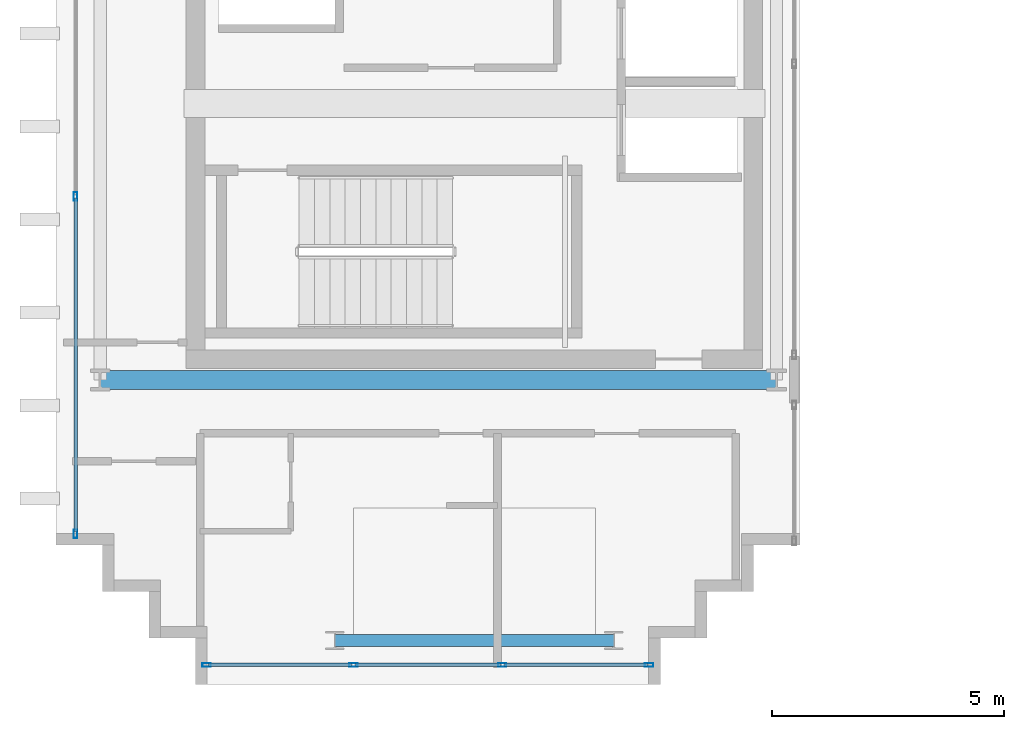
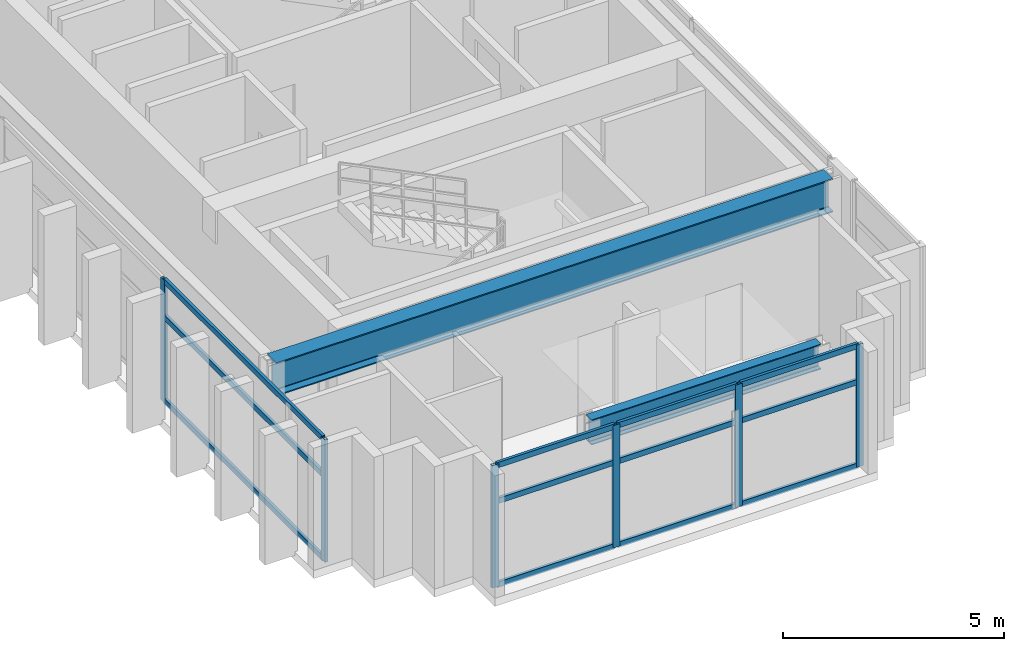
# One storey, part 2 of 25: 18 members, 2 beams, 2 elements without a shape of their own.
"""IFC4 building model written with IfcOpenShell, lengths in metres."""

from ifc_helpers import new_model, si_unit, direction, frame, origin, origin_2d, place, context, subcontext, project, spatial, hollow_rectangle, i_section, extrude, source, transform, mapped, material, layer, layer_set, material_profile, profile_set, type_object, element, aggregate, save


model = new_model("IFC4")

# Units and contexts
model_context = context("Model", 3, precision=1e-05, world=origin(), true_north=direction((0.0, 1.0)))
body_context = subcontext(model_context, "Body", "Model", "MODEL_VIEW")
ifc_project = project(units=[si_unit("LENGTHUNIT", "METRE"), si_unit("AREAUNIT", "SQUARE_METRE"), si_unit("VOLUMEUNIT", "CUBIC_METRE"), si_unit("PLANEANGLEUNIT", "RADIAN"), si_unit("MASSUNIT", "GRAM", prefix="KILO")], contexts=[model_context])

# Site, building, storey
site_placement = place(None, origin())
site = spatial("IfcSite", under=ifc_project, at=site_placement, CompositionType="ELEMENT")
building_placement = place(site_placement, origin())
building = spatial("IfcBuilding", under=site, at=building_placement, Name="Ocotamira Hotel", CompositionType="ELEMENT")
storey_placement = place(building_placement, frame((0.0, 0.0, 258.0)))
storey = spatial("IfcBuildingStorey", under=building, at=storey_placement, Name="L65", CompositionType="ELEMENT", Elevation=258.0)

# Beams
ifc_material_1 = material(Name="Steel ASTM A992 Grade 50", Category="steel")
ifc_material_profile_1 = material_profile(ifc_material_1, i_section(OverallWidth=0.41796875, OverallDepth=0.927001953125, WebThickness=0.019287109375, FlangeThickness=0.031982421875, FilletRadius=0.02392578125, at=origin_2d()), Name="W36X231")
ifc_profile_set_1 = profile_set([ifc_material_profile_1], Name="Steel ASTM A992 Grade 50")
beam_type_1 = type_object("IfcBeamType", Name="BM-GIRD-W36X231", PredefinedType="BEAM", material=ifc_profile_set_1)
shared_shape_1 = source(origin(), body_context, "Body", "SweptSolid", [
    extrude(i_section(OverallWidth=0.41796875, OverallDepth=0.927001953125, WebThickness=0.019287109375, FlangeThickness=0.031982421875, FilletRadius=0.02392578125, at=origin_2d()), origin(), (0.0, 0.0, 1.0), 14.550048828125),
])
beam_1_placement = place(storey_placement, frame((8.949951171875, 14.550048828125, 2.91650390625), z_axis=(1.0, 0.0, 0.0), x_axis=(0.0, 1.0, 0.0)))
element("IfcBeam", 1, at=beam_1_placement, inside=storey, type_object=beam_type_1, Name="L65 Girder Y14.55 X8.95-23.5", PredefinedType="BEAM", context=body_context, shape_type="MappedRepresentation", body=[
    mapped(shared_shape_1, transform((0.0, 0.0, 0.0), scale=1.0)),
])
ifc_material_profile_2 = material_profile(ifc_material_1, i_section(OverallWidth=0.256103515625, OverallDepth=0.693115234375, WebThickness=0.014404296875, FlangeThickness=0.023681640625, FilletRadius=0.01611328125, at=origin_2d()), Name="W27X114")
ifc_profile_set_2 = profile_set([ifc_material_profile_2], Name="Steel ASTM A992 Grade 50")
beam_type_2 = type_object("IfcBeamType", Name="BM-PRIM-W27X114", PredefinedType="BEAM", material=ifc_profile_set_2)
shared_shape_2 = source(origin(), body_context, "Body", "SweptSolid", [
    extrude(i_section(OverallWidth=0.256103515625, OverallDepth=0.693115234375, WebThickness=0.014404296875, FlangeThickness=0.023681640625, FilletRadius=0.01611328125, at=origin_2d()), origin(), (0.0, 0.0, 1.0), 6.0),
])
beam_2_placement = place(storey_placement, frame((14.0, 8.949951171875, 3.033447265625), z_axis=(1.0, 0.0, 0.0), x_axis=(0.0, 1.0, 0.0)))
element("IfcBeam", 2, at=beam_2_placement, inside=storey, type_object=beam_type_2, Name="L65 Girder Y8.95 X14-20", PredefinedType="BEAM", context=body_context, shape_type="MappedRepresentation", body=[
    mapped(shared_shape_2, transform((0.0, 0.0, 0.0), scale=1.0)),
])

# Curtain wall, members
ifc_material_2 = material(Name="Anodised pale-metal aluminium and solar glass", Category="aluminium")
ifc_layer = layer(ifc_material_2, 0.2099609375)
ifc_layer_set = layer_set([ifc_layer], Name="Anodised pale-metal aluminium and solar glass")
curtain_wall_type = type_object("IfcCurtainWallType", Name="CW-SYS7-PEAK", PredefinedType="NOTDEFINED", material=ifc_layer_set)
curtain_wall_1_placement = place(storey_placement, origin())
curtain_wall_1 = element("IfcCurtainWall", 3, at=curtain_wall_1_placement, inside=storey, type_object=curtain_wall_type, Name="L65 Curtain Wall CW-7 CW-L65-WS", PredefinedType="NOTDEFINED")
ifc_material_3 = material(Name="Anodised pale-metal aluminium 6063-T6", Category="aluminium")
ifc_material_profile_3 = material_profile(ifc_material_3, hollow_rectangle(XDim=0.080078125, YDim=0.179931640625, WallThickness=0.006103515625, at=origin_2d()), Name="HSS180X80X6")
ifc_profile_set_3 = profile_set([ifc_material_profile_3], Name="Anodised pale-metal aluminium 6063-T6")
member_type_1 = type_object("IfcMemberType", Name="CWM-180X75", PredefinedType="MULLION", material=ifc_profile_set_3)
shared_shape_3 = source(origin(), body_context, "Body", "SweptSolid", [
    extrude(hollow_rectangle(XDim=0.080078125, YDim=0.179931640625, WallThickness=0.006103515625, at=origin_2d()), origin(), (0.0, 0.0, 1.0), 3.3798828125),
])
member_1_placement = place(storey_placement, frame((11.239990234375, 8.419921875, 0.0), z_axis=(0.0, 0.0, 1.0), x_axis=(0.0, 1.0, 0.0)))
member_1 = element("IfcMember", 4, at=member_1_placement, type_object=member_type_1, Name="CW-7 mullion 1", PredefinedType="MULLION", context=body_context, shape_type="MappedRepresentation", body=[
    mapped(shared_shape_3, transform((0.0, 0.0, 0.0), scale=1.0)),
])
member_2_placement = place(storey_placement, frame((14.39990234375, 8.419921875, 0.0), z_axis=(0.0, 0.0, 1.0), x_axis=(0.0, 1.0, 0.0)))
member_2 = element("IfcMember", 5, at=member_2_placement, type_object=member_type_1, Name="CW-7 mullion 2", PredefinedType="MULLION", context=body_context, shape_type="MappedRepresentation", body=[
    mapped(shared_shape_3, transform((0.0, 0.0, 0.0), scale=1.0)),
])
member_3_placement = place(storey_placement, frame((17.60009765625, 8.419921875, 0.0), z_axis=(0.0, 0.0, 1.0), x_axis=(0.0, 1.0, 0.0)))
member_3 = element("IfcMember", 6, at=member_3_placement, type_object=member_type_1, Name="CW-7 mullion 3", PredefinedType="MULLION", context=body_context, shape_type="MappedRepresentation", body=[
    mapped(shared_shape_3, transform((0.0, 0.0, 0.0), scale=1.0)),
])
member_4_placement = place(storey_placement, frame((20.760009765625, 8.419921875, 0.0), z_axis=(0.0, 0.0, 1.0), x_axis=(0.0, 1.0, 0.0)))
member_4 = element("IfcMember", 7, at=member_4_placement, type_object=member_type_1, Name="CW-7 mullion 4", PredefinedType="MULLION", context=body_context, shape_type="MappedRepresentation", body=[
    mapped(shared_shape_3, transform((0.0, 0.0, 0.0), scale=1.0)),
])

curtain_wall_2_placement = place(storey_placement, origin())
curtain_wall_2 = element("IfcCurtainWall", 8, at=curtain_wall_2_placement, inside=storey, type_object=curtain_wall_type, Name="L65 Curtain Wall CW-7 CW-L65-WO1", PredefinedType="NOTDEFINED")
member_5_placement = place(storey_placement, frame((8.419921875, 11.239990234375, 0.0), z_axis=(0.0, 0.0, 1.0), x_axis=(-1.0, 0.0, 0.0)))
member_5 = element("IfcMember", 9, at=member_5_placement, type_object=member_type_1, Name="CW-7 mullion 1", PredefinedType="MULLION", context=body_context, shape_type="MappedRepresentation", body=[
    mapped(shared_shape_3, transform((0.0, 0.0, 0.0), scale=1.0)),
])
member_6_placement = place(storey_placement, frame((8.419921875, 18.5, 0.0), z_axis=(0.0, 0.0, 1.0), x_axis=(-1.0, 0.0, 0.0)))
member_6 = element("IfcMember", 10, at=member_6_placement, type_object=member_type_1, Name="CW-7 mullion 2", PredefinedType="MULLION", context=body_context, shape_type="MappedRepresentation", body=[
    mapped(shared_shape_3, transform((0.0, 0.0, 0.0), scale=1.0)),
])

# Member
ifc_material_profile_4 = material_profile(ifc_material_3, hollow_rectangle(XDim=0.074951171875, YDim=0.14990234375, WallThickness=0.006103515625, at=origin_2d()), Name="HSS150X75X6")
ifc_profile_set_4 = profile_set([ifc_material_profile_4], Name="Anodised pale-metal aluminium 6063-T6")
member_type_2 = type_object("IfcMemberType", Name="CWT-150X75", PredefinedType="USERDEFINED", material=ifc_profile_set_4)
shared_shape_4 = source(origin(), body_context, "Body", "SweptSolid", [
    extrude(hollow_rectangle(XDim=0.074951171875, YDim=0.14990234375, WallThickness=0.006103515625, at=origin_2d()), origin(), (0.0, 0.0, 1.0), 3.080078125),
])
member_7_placement = place(storey_placement, frame((11.280029296875, 8.419921875, 0.03759765625), z_axis=(1.0, 0.0, 0.0), x_axis=(0.0, 1.0, 0.0)))
member_7 = element("IfcMember", 11, at=member_7_placement, type_object=member_type_2, Name="CW-7 transom 1.1", ObjectType="TRANSOM", PredefinedType="USERDEFINED", context=body_context, shape_type="MappedRepresentation", body=[
    mapped(shared_shape_4, transform((0.0, 0.0, 0.0), scale=1.0)),
])

member_8_placement = place(storey_placement, frame((11.280029296875, 8.419921875, 2.35009765625), z_axis=(1.0, 0.0, 0.0), x_axis=(0.0, 1.0, 0.0)))
member_8 = element("IfcMember", 12, at=member_8_placement, type_object=member_type_2, Name="CW-7 transom 1.2", ObjectType="TRANSOM", PredefinedType="USERDEFINED", context=body_context, shape_type="MappedRepresentation", body=[
    mapped(shared_shape_4, transform((0.0, 0.0, 0.0), scale=1.0)),
])

member_9_placement = place(storey_placement, frame((11.280029296875, 8.419921875, 3.342529296875), z_axis=(1.0, 0.0, 0.0), x_axis=(0.0, 1.0, 0.0)))
member_9 = element("IfcMember", 13, at=member_9_placement, type_object=member_type_2, Name="CW-7 transom 1.3", ObjectType="TRANSOM", PredefinedType="USERDEFINED", context=body_context, shape_type="MappedRepresentation", body=[
    mapped(shared_shape_4, transform((0.0, 0.0, 0.0), scale=1.0)),
])

member_10_placement = place(storey_placement, frame((17.639892578125, 8.419921875, 0.03759765625), z_axis=(1.0, 0.0, 0.0), x_axis=(0.0, 1.0, 0.0)))
member_10 = element("IfcMember", 14, at=member_10_placement, type_object=member_type_2, Name="CW-7 transom 3.1", ObjectType="TRANSOM", PredefinedType="USERDEFINED", context=body_context, shape_type="MappedRepresentation", body=[
    mapped(shared_shape_4, transform((0.0, 0.0, 0.0), scale=1.0)),
])

member_11_placement = place(storey_placement, frame((17.639892578125, 8.419921875, 2.35009765625), z_axis=(1.0, 0.0, 0.0), x_axis=(0.0, 1.0, 0.0)))
member_11 = element("IfcMember", 15, at=member_11_placement, type_object=member_type_2, Name="CW-7 transom 3.2", ObjectType="TRANSOM", PredefinedType="USERDEFINED", context=body_context, shape_type="MappedRepresentation", body=[
    mapped(shared_shape_4, transform((0.0, 0.0, 0.0), scale=1.0)),
])

member_12_placement = place(storey_placement, frame((17.639892578125, 8.419921875, 3.342529296875), z_axis=(1.0, 0.0, 0.0), x_axis=(0.0, 1.0, 0.0)))
member_12 = element("IfcMember", 16, at=member_12_placement, type_object=member_type_2, Name="CW-7 transom 3.3", ObjectType="TRANSOM", PredefinedType="USERDEFINED", context=body_context, shape_type="MappedRepresentation", body=[
    mapped(shared_shape_4, transform((0.0, 0.0, 0.0), scale=1.0)),
])

shared_shape_5 = source(origin(), body_context, "Body", "SweptSolid", [
    extrude(hollow_rectangle(XDim=0.074951171875, YDim=0.14990234375, WallThickness=0.006103515625, at=origin_2d()), origin(), (0.0, 0.0, 1.0), 3.1201171875),
])
member_13_placement = place(storey_placement, frame((14.43994140625, 8.419921875, 0.03759765625), z_axis=(1.0, 0.0, 0.0), x_axis=(0.0, 1.0, 0.0)))
member_13 = element("IfcMember", 17, at=member_13_placement, type_object=member_type_2, Name="CW-7 transom 2.1", ObjectType="TRANSOM", PredefinedType="USERDEFINED", context=body_context, shape_type="MappedRepresentation", body=[
    mapped(shared_shape_5, transform((0.0, 0.0, 0.0), scale=1.0)),
])

member_14_placement = place(storey_placement, frame((14.43994140625, 8.419921875, 2.35009765625), z_axis=(1.0, 0.0, 0.0), x_axis=(0.0, 1.0, 0.0)))
member_14 = element("IfcMember", 18, at=member_14_placement, type_object=member_type_2, Name="CW-7 transom 2.2", ObjectType="TRANSOM", PredefinedType="USERDEFINED", context=body_context, shape_type="MappedRepresentation", body=[
    mapped(shared_shape_5, transform((0.0, 0.0, 0.0), scale=1.0)),
])

member_15_placement = place(storey_placement, frame((14.43994140625, 8.419921875, 3.342529296875), z_axis=(1.0, 0.0, 0.0), x_axis=(0.0, 1.0, 0.0)))
member_15 = element("IfcMember", 19, at=member_15_placement, type_object=member_type_2, Name="CW-7 transom 2.3", ObjectType="TRANSOM", PredefinedType="USERDEFINED", context=body_context, shape_type="MappedRepresentation", body=[
    mapped(shared_shape_5, transform((0.0, 0.0, 0.0), scale=1.0)),
])

aggregate(curtain_wall_1, [member_1, member_2, member_3, member_4, member_7, member_8, member_9, member_13, member_14, member_15, member_10, member_11, member_12])

shared_shape_6 = source(origin(), body_context, "Body", "SweptSolid", [
    extrude(hollow_rectangle(XDim=0.074951171875, YDim=0.14990234375, WallThickness=0.006103515625, at=origin_2d()), origin(), (0.0, 0.0, 1.0), 7.179931640625),
])
member_16_placement = place(storey_placement, frame((8.419921875, 11.280029296875, 0.03759765625), z_axis=(0.0, 1.0, 0.0), x_axis=(-1.0, 0.0, 0.0)))
member_16 = element("IfcMember", 20, at=member_16_placement, type_object=member_type_2, Name="CW-7 transom 1.1", ObjectType="TRANSOM", PredefinedType="USERDEFINED", context=body_context, shape_type="MappedRepresentation", body=[
    mapped(shared_shape_6, transform((0.0, 0.0, 0.0), scale=1.0)),
])

member_17_placement = place(storey_placement, frame((8.419921875, 11.280029296875, 2.35009765625), z_axis=(0.0, 1.0, 0.0), x_axis=(-1.0, 0.0, 0.0)))
member_17 = element("IfcMember", 21, at=member_17_placement, type_object=member_type_2, Name="CW-7 transom 1.2", ObjectType="TRANSOM", PredefinedType="USERDEFINED", context=body_context, shape_type="MappedRepresentation", body=[
    mapped(shared_shape_6, transform((0.0, 0.0, 0.0), scale=1.0)),
])

member_18_placement = place(storey_placement, frame((8.419921875, 11.280029296875, 3.342529296875), z_axis=(0.0, 1.0, 0.0), x_axis=(-1.0, 0.0, 0.0)))
member_18 = element("IfcMember", 22, at=member_18_placement, type_object=member_type_2, Name="CW-7 transom 1.3", ObjectType="TRANSOM", PredefinedType="USERDEFINED", context=body_context, shape_type="MappedRepresentation", body=[
    mapped(shared_shape_6, transform((0.0, 0.0, 0.0), scale=1.0)),
])

aggregate(curtain_wall_2, [member_5, member_6, member_16, member_17, member_18])

save(model, "model.ifc")
